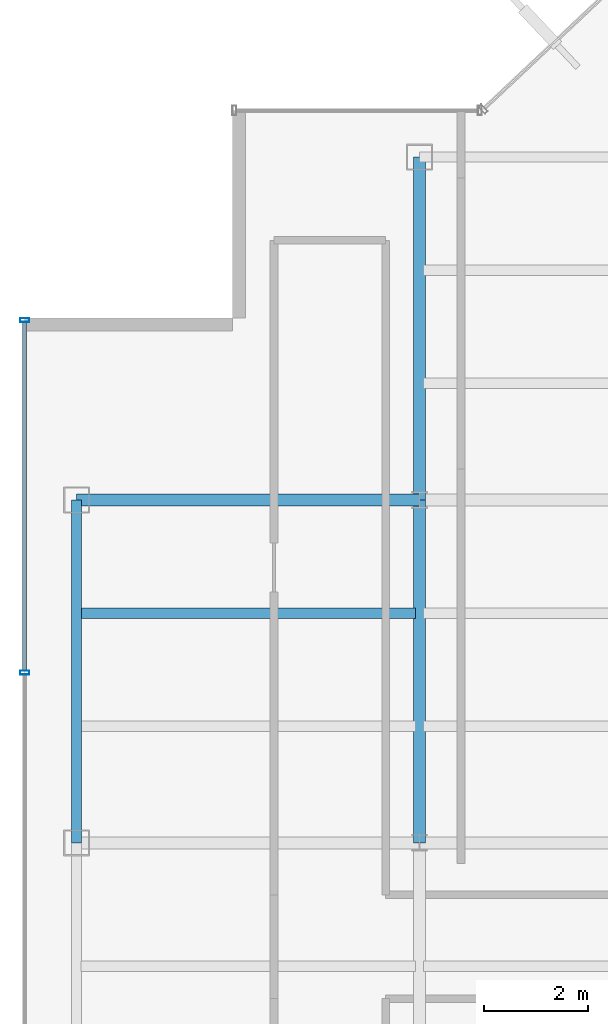
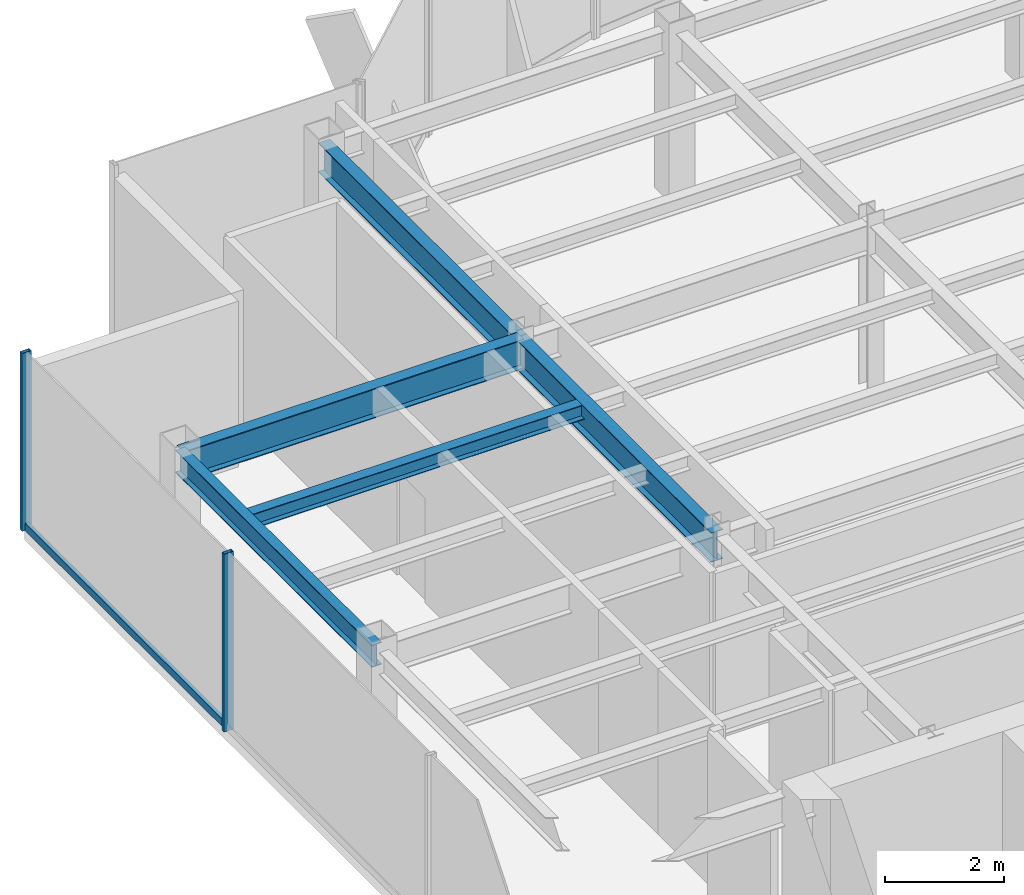
# One storey, part 7 of 22: 5 beams, 3 members, 1 element without a shape of its own.
"""IFC4 building model written with IfcOpenShell, lengths in metres."""

from ifc_helpers import new_model, si_unit, derived_unit, direction, frame, origin, origin_2d, place, context, subcontext, project, spatial, hollow_rectangle, i_section, extrude, source, transform, mapped, material, material_profile, profile_set, type_object, element, aggregate, save


model = new_model("IFC4")

# Units and contexts
model_context = context("Model", 3, precision=1e-05, world=origin(), true_north=direction((0.0, 1.0)))
body_context = subcontext(model_context, "Body", "Model", "MODEL_VIEW")
ifc_project = project(units=[si_unit("LENGTHUNIT", "METRE"), si_unit("AREAUNIT", "SQUARE_METRE"), si_unit("VOLUMEUNIT", "CUBIC_METRE"), si_unit("PLANEANGLEUNIT", "RADIAN"), si_unit("MASSUNIT", "GRAM", prefix="KILO"), derived_unit("THERMALTRANSMITTANCEUNIT", [(si_unit("POWERUNIT", "WATT"), 1), (si_unit("LENGTHUNIT", "METRE"), -2), (si_unit("THERMODYNAMICTEMPERATUREUNIT", "KELVIN"), -1)])], contexts=[model_context])

# Site, building, storey
site_placement = place(None, origin())
site = spatial("IfcSite", under=ifc_project, at=site_placement, CompositionType="ELEMENT")
building_placement = place(site_placement, origin())
building = spatial("IfcBuilding", under=site, at=building_placement, Name="Skarnbrae Concourse Arena and Tower", CompositionType="ELEMENT")
storey_placement = place(building_placement, frame((0.0, 0.0, 284.35009765625)))
storey = spatial("IfcBuildingStorey", under=building, at=storey_placement, Name="L74", CompositionType="ELEMENT", Elevation=284.35009765625)

# Beams
ifc_material_1 = material(Name="Steel CSA G40.21 350W", Category="steel")
ifc_material_profile_1 = material_profile(ifc_material_1, i_section(OverallWidth=0.22802734375, OverallDepth=0.60791015625, WebThickness=0.01123046875, FlangeThickness=0.017333984375, at=origin_2d()), Name="W610X113")
ifc_profile_set_1 = profile_set([ifc_material_profile_1], Name="Steel CSA G40.21 350W")
beam_type_1 = type_object("IfcBeamType", Name="BM-GIRD-W610X113", PredefinedType="BEAM", material=ifc_profile_set_1)
shared_shape_1 = source(origin(), body_context, "Body", "SweptSolid", [
    extrude(i_section(OverallWidth=0.22802734375, OverallDepth=0.60791015625, WebThickness=0.01123046875, FlangeThickness=0.017333984375, at=origin_2d()), origin(), (0.0, 0.0, 1.0), 6.60009765625),
])
for number, where, z_axis, x_axis, name in (
    (1, (1.0, 27.800048828125, 3.095947265625), (1.0, 0.0, 0.0), (0.0, 1.0, 0.0), "L74 Primary E-W girder Y27.8-1"),
    (2, (7.60009765625, 21.199951171875, 3.095947265625), (0.0, 1.0, 0.0), (-1.0, 0.0, 0.0), "L74 Primary N-S girder X7.6-2"),
):
    element("IfcBeam", number, at=place(storey_placement, frame(where, z_axis=z_axis, x_axis=x_axis)), inside=storey, type_object=beam_type_1, Name=name, PredefinedType="BEAM", context=body_context, shape_type="MappedRepresentation", body=[
        mapped(shared_shape_1, transform((0.0, 0.0, 0.0))),
    ])
ifc_material_profile_2 = material_profile(ifc_material_1, i_section(OverallWidth=0.19091796875, OverallDepth=0.4599609375, WebThickness=0.010009765625, FlangeThickness=0.01611328125, at=origin_2d()), Name="W460X82")
ifc_profile_set_2 = profile_set([ifc_material_profile_2], Name="Steel CSA G40.21 350W")
beam_type_2 = type_object("IfcBeamType", Name="BM-SPAN-W460X82", PredefinedType="SPANDREL", material=ifc_profile_set_2)
shared_shape_2 = source(origin(), body_context, "Body", "SweptSolid", [
    extrude(i_section(OverallWidth=0.19091796875, OverallDepth=0.4599609375, WebThickness=0.010009765625, FlangeThickness=0.01611328125, at=origin_2d()), origin(), (0.0, 0.0, 1.0), 6.60009765625),
])
beam_1_placement = place(storey_placement, frame((1.0, 21.199951171875, 3.169921875), z_axis=(0.0, 1.0, 0.0), x_axis=(-1.0, 0.0, 0.0)))
element("IfcBeam", 3, at=beam_1_placement, inside=storey, type_object=beam_type_2, Name="L74 Perimeter spandrel X1.0-3", PredefinedType="SPANDREL", context=body_context, shape_type="MappedRepresentation", body=[
    mapped(shared_shape_2, transform((0.0, 0.0, 0.0))),
])
shared_shape_3 = source(origin(), body_context, "Body", "SweptSolid", [
    extrude(i_section(OverallWidth=0.22802734375, OverallDepth=0.60791015625, WebThickness=0.01123046875, FlangeThickness=0.017333984375, at=origin_2d()), origin(), (0.0, 0.0, 1.0), 6.599853515625),
])
beam_2_placement = place(storey_placement, frame((7.60009765625, 27.800048828125, 3.095947265625), z_axis=(0.0, 1.0, 0.0), x_axis=(-1.0, 0.0, 0.0)))
element("IfcBeam", 4, at=beam_2_placement, inside=storey, type_object=beam_type_1, Name="L74 Primary N-S girder X7.6-3", PredefinedType="BEAM", context=body_context, shape_type="MappedRepresentation", body=[
    mapped(shared_shape_3, transform((0.0, 0.0, 0.0))),
])
ifc_material_profile_3 = material_profile(ifc_material_1, i_section(OverallWidth=0.202880859375, OverallDepth=0.302978515625, WebThickness=0.007568359375, FlangeThickness=0.01318359375, at=origin_2d()), Name="W310X60")
ifc_profile_set_3 = profile_set([ifc_material_profile_3], Name="Steel CSA G40.21 350W")
beam_type_3 = type_object("IfcBeamType", Name="BM-JOIST-W310X60", PredefinedType="JOIST", material=ifc_profile_set_3)
shared_shape_4 = source(origin(), body_context, "Body", "SweptSolid", [
    extrude(i_section(OverallWidth=0.202880859375, OverallDepth=0.302978515625, WebThickness=0.007568359375, FlangeThickness=0.01318359375, at=origin_2d()), origin(), (0.0, 0.0, 1.0), 6.43994140625),
])
beam_3_placement = place(storey_placement, frame((1.080078125, 25.6220703125, 3.248291015625), z_axis=(1.0, 0.0, 0.0), x_axis=(0.0, 1.0, 0.0)))
element("IfcBeam", 5, at=beam_3_placement, inside=storey, type_object=beam_type_3, Name="L74 Secondary floor joist 2.2.1", PredefinedType="JOIST", context=body_context, shape_type="MappedRepresentation", body=[
    mapped(shared_shape_4, transform((0.0, 0.0, 0.0))),
])

# Curtain wall, members
ifc_material_2 = material(Name="Bronze anodised aluminium 6063-T6", Category="aluminium")
curtain_wall_type = type_object("IfcCurtainWallType", Name="CW-SYS-05-HIGHZONE", PredefinedType="USERDEFINED", material=ifc_material_2)
curtain_wall_placement = place(storey_placement, origin())
curtain_wall = element("IfcCurtainWall", 6, at=curtain_wall_placement, inside=storey, type_object=curtain_wall_type, Name="L74 Unitised curtain wall CW-L74-E18", ObjectType="UNITISED CURTAIN WALL", PredefinedType="USERDEFINED")
ifc_material_profile_4 = material_profile(ifc_material_2, hollow_rectangle(XDim=0.074951171875, YDim=0.179931640625, WallThickness=0.00390625, at=origin_2d()), Name="ALU-MULL-75X180")
ifc_profile_set_4 = profile_set([ifc_material_profile_4], Name="Bronze anodised aluminium 6063-T6")
member_type_1 = type_object("IfcMemberType", Name="CWM-CW-05", PredefinedType="MULLION", material=ifc_profile_set_4)
shared_shape_5 = source(origin(), body_context, "Body", "SweptSolid", [
    extrude(hollow_rectangle(XDim=0.074951171875, YDim=0.179931640625, WallThickness=0.00390625, at=origin_2d()), origin(), (0.0, 0.0, 1.0), 3.64990234375),
])
member_1_placement = place(storey_placement, frame((0.0, 31.262451171875, 0.0), z_axis=(0.0, 0.0, 1.0), x_axis=(0.0, -1.0, 0.0)))
member_1 = element("IfcMember", 7, at=member_1_placement, type_object=member_type_1, Name="CW-L74-E18 Mullion 1", PredefinedType="MULLION", context=body_context, shape_type="MappedRepresentation", body=[
    mapped(shared_shape_5, transform((0.0, 0.0, 0.0))),
])
member_2_placement = place(storey_placement, frame((0.0, 24.47509765625, 0.0), z_axis=(0.0, 0.0, 1.0), x_axis=(0.0, -1.0, 0.0)))
member_2 = element("IfcMember", 8, at=member_2_placement, type_object=member_type_1, Name="CW-L74-E18 Mullion 2", PredefinedType="MULLION", context=body_context, shape_type="MappedRepresentation", body=[
    mapped(shared_shape_5, transform((0.0, 0.0, 0.0))),
])
ifc_material_profile_5 = material_profile(ifc_material_2, hollow_rectangle(XDim=0.074951171875, YDim=0.14990234375, WallThickness=0.00390625, at=origin_2d()), Name="ALU-TRAN-75X150")
ifc_profile_set_5 = profile_set([ifc_material_profile_5], Name="Bronze anodised aluminium 6063-T6")
member_type_2 = type_object("IfcMemberType", Name="CWT-CW-05", PredefinedType="USERDEFINED", material=ifc_profile_set_5)
shared_shape_6 = source(origin(), body_context, "Body", "SweptSolid", [
    extrude(hollow_rectangle(XDim=0.074951171875, YDim=0.14990234375, WallThickness=0.00390625, at=origin_2d()), origin(), (0.0, 0.0, 1.0), 6.712646484375),
])
member_3_placement = place(storey_placement, frame((0.0, 31.22509765625, 0.074951171875), z_axis=(0.0, -1.0, 0.0), x_axis=(1.0, 0.0, 0.0)))
member_3 = element("IfcMember", 9, at=member_3_placement, type_object=member_type_2, Name="CW-L74-E18 Transom 1", ObjectType="TRANSOM", PredefinedType="USERDEFINED", context=body_context, shape_type="MappedRepresentation", body=[
    mapped(shared_shape_6, transform((0.0, 0.0, 0.0))),
])
aggregate(curtain_wall, [member_1, member_2, member_3])

save(model, "model.ifc")
